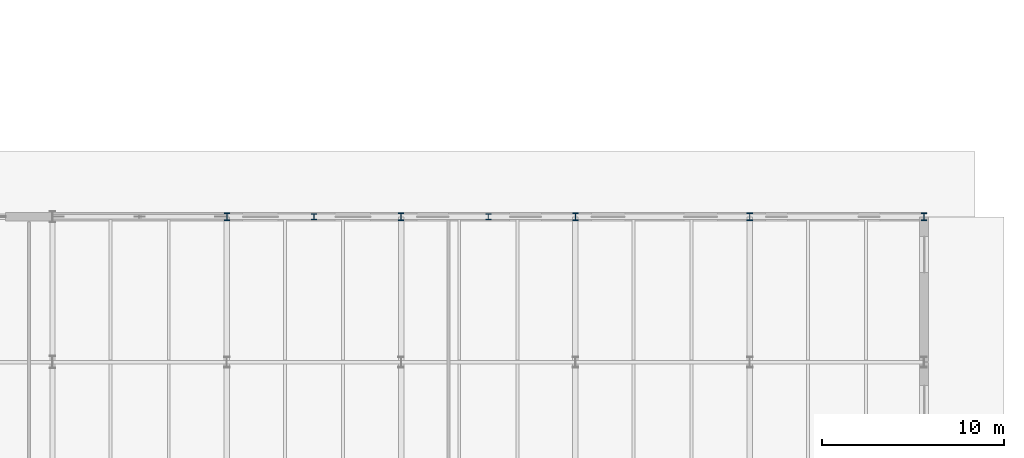
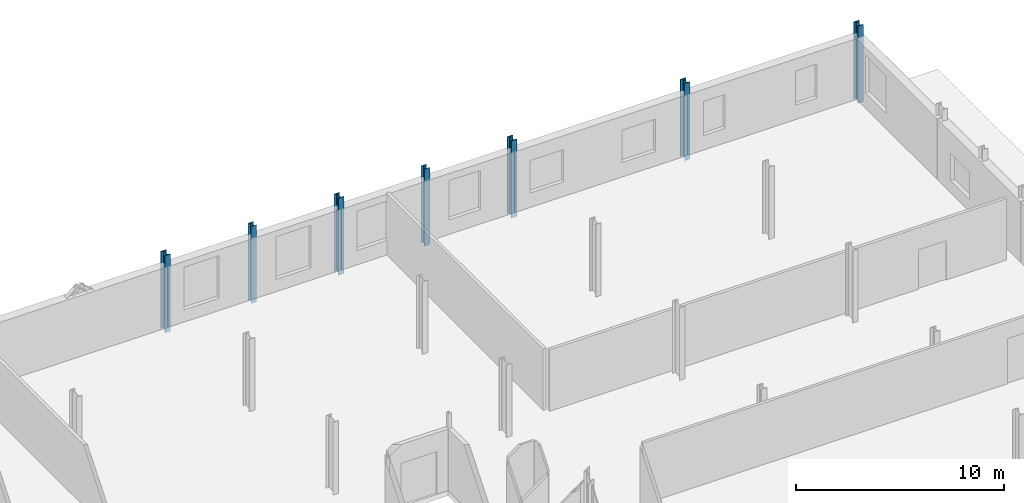
# One storey, part 29 of 78: 7 columns.
"""IFC4 building model written with IfcOpenShell, lengths in metres."""

from ifc_helpers import new_model, si_unit, direction, frame, origin, origin_2d, place, context, subcontext, project, spatial, i_section, extrude, material, material_profile, profile_set, type_object, element, save


model = new_model("IFC4")

# Units and contexts
model_context = context("Model", 3, precision=1e-05, world=origin(), true_north=direction((0.0, 1.0)))
body_context = subcontext(model_context, "Body", "Model", "MODEL_VIEW")
ifc_project = project(units=[si_unit("LENGTHUNIT", "METRE"), si_unit("AREAUNIT", "SQUARE_METRE"), si_unit("VOLUMEUNIT", "CUBIC_METRE"), si_unit("PLANEANGLEUNIT", "RADIAN"), si_unit("MASSUNIT", "GRAM", prefix="KILO")], contexts=[model_context])

# Site, building, storey
site_placement = place(None, origin())
site = spatial("IfcSite", under=ifc_project, at=site_placement, CompositionType="ELEMENT")
building_placement = place(site_placement, origin())
building = spatial("IfcBuilding", under=site, at=building_placement, Name="Alderhovde Museum", CompositionType="ELEMENT")
storey_placement = place(building_placement, origin())
storey = spatial("IfcBuildingStorey", under=building, at=storey_placement, Name="L00", CompositionType="ELEMENT", Elevation=0.0)

# Columns
ifc_material_1 = material(Name="Steel S355J2", Category="steel")
ifc_material_profile_1 = material_profile(ifc_material_1, i_section(OverallWidth=0.306884765625, OverallDepth=0.431884765625, WebThickness=0.02099609375, FlangeThickness=0.0400390625, FilletRadius=0.027099609375, at=origin_2d()), Name="HEM 400")
ifc_profile_set_1 = profile_set([ifc_material_profile_1], Name="Steel S355J2")
column_type_1 = type_object("IfcColumnType", Name="COL-HEM400", PredefinedType="COLUMN", material=ifc_profile_set_1)
for number, where, z_axis, x_axis, name in (
    (1, (134.39990234375, 96.0, -0.280029296875), (0.0, 0.0, 1.0), (1.0, 0.0, 0.0), "L00 Column (134.4, 96.0)"),
    (2, (144.0, 96.0, -0.280029296875), (0.0, 0.0, 1.0), (1.0, 0.0, 0.0), "L00 Column (144.0, 96.0)"),
    (3, (153.60009765625, 96.0, -0.280029296875), (0.0, 0.0, 1.0), (1.0, 0.0, 0.0), "L00 Column (153.6, 96.0)"),
    (4, (163.199951171875, 96.0, -0.280029296875), (0.0, 0.0, 1.0), (1.0, 0.0, 0.0), "L00 Column (163.2, 96.0)"),
    (5, (172.800048828125, 96.0, -0.280029296875), (0.0, 0.0, 1.0), (1.0, 0.0, 0.0), "L00 Column (172.8, 96.0)"),
):
    element("IfcColumn", number, at=place(storey_placement, frame(where, z_axis=z_axis, x_axis=x_axis)), inside=storey, type_object=column_type_1, Name=name, PredefinedType="COLUMN", context=body_context, shape_type="SweptSolid", body=[
        extrude(i_section(OverallWidth=0.306884765625, OverallDepth=0.431884765625, WebThickness=0.02099609375, FlangeThickness=0.0400390625, FilletRadius=0.027099609375, at=origin_2d()), origin(), (0.0, 0.0, 1.0), 4.52001953125),
    ])
ifc_material_2 = material(Name="Steel S355J2", Category="steel")
ifc_material_profile_2 = material_profile(ifc_material_2, i_section(OverallWidth=0.300048828125, OverallDepth=0.330078125, WebThickness=0.009521484375, FlangeThickness=0.0166015625, FilletRadius=0.027099609375, at=origin_2d()), Name="HEA 340")
ifc_profile_set_2 = profile_set([ifc_material_profile_2], Name="Steel S355J2")
column_type_2 = type_object("IfcColumnType", Name="PIL-HEA340", PredefinedType="PILASTER", material=ifc_profile_set_2)
for number, where, z_axis, x_axis, name in (
    (6, (139.199951171875, 96.0, -0.280029296875), (0.0, 0.0, 1.0), (1.0, 0.0, 0.0), "L00 Structural Pilaster (139.2, 96.0)"),
    (7, (148.800048828125, 96.0, -0.280029296875), (0.0, 0.0, 1.0), (1.0, 0.0, 0.0), "L00 Structural Pilaster (148.8, 96.0)"),
):
    element("IfcColumn", number, at=place(storey_placement, frame(where, z_axis=z_axis, x_axis=x_axis)), inside=storey, type_object=column_type_2, Name=name, PredefinedType="PILASTER", context=body_context, shape_type="SweptSolid", body=[
        extrude(i_section(OverallWidth=0.300048828125, OverallDepth=0.330078125, WebThickness=0.009521484375, FlangeThickness=0.0166015625, FilletRadius=0.027099609375, at=origin_2d()), origin(), (0.0, 0.0, 1.0), 4.52001953125),
    ])

save(model, "model.ifc")
